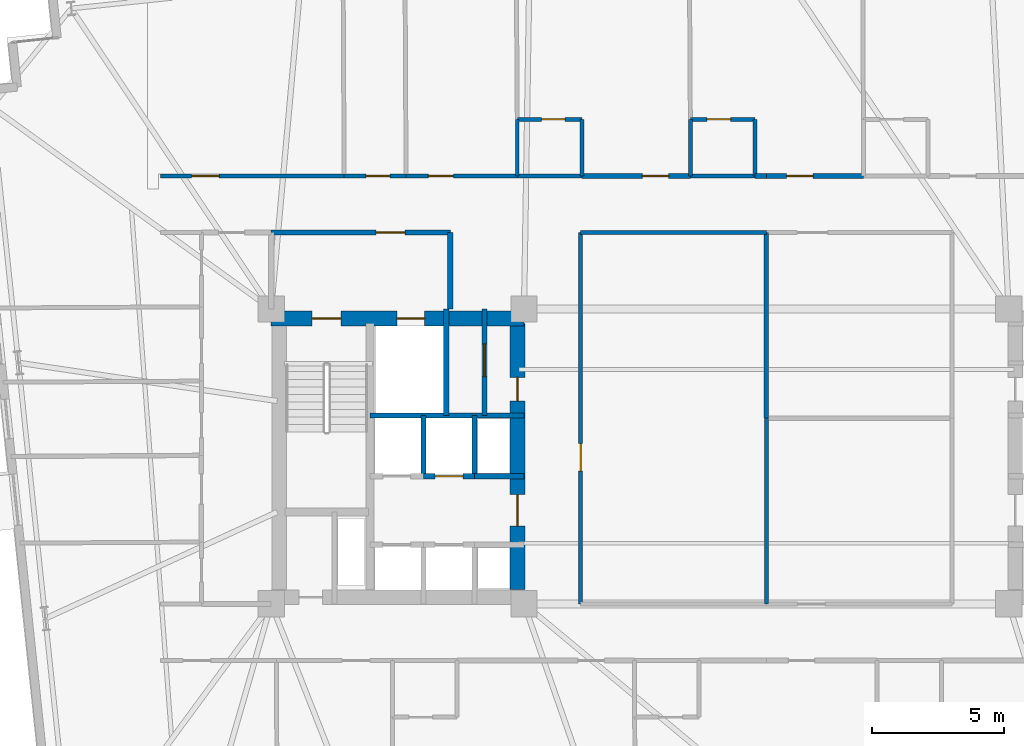
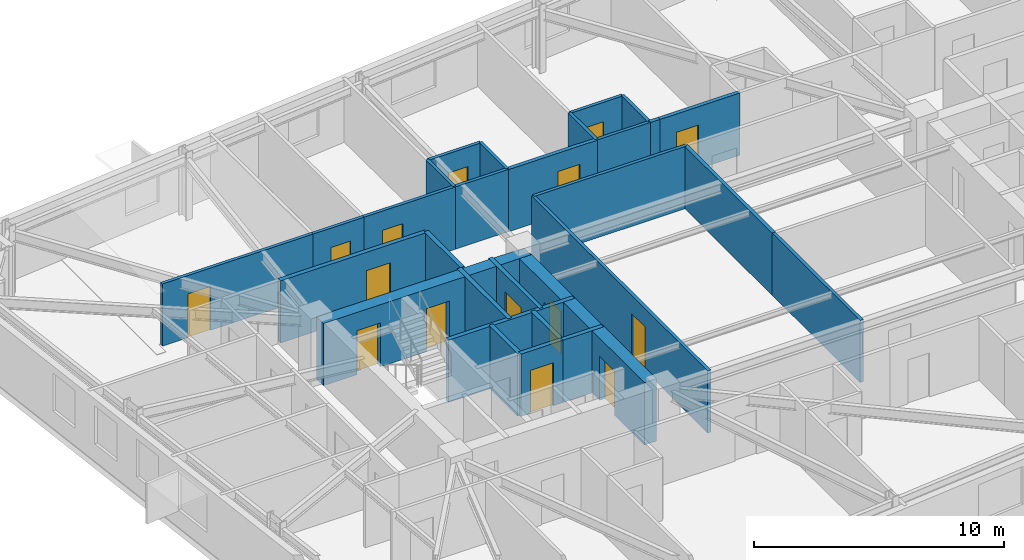
# One storey, part 13 of 20: 29 walls, 15 doors, 15 openings.
"""IFC4 building model written with IfcOpenShell, lengths in metres."""

import ifcopenshell
import ifcopenshell.guid

model = None  # the IFC model being written
_history = None  # IfcOwnerHistory: only IFC2X3 demands one
_inside = {}  # id of a spatial element -> (the spatial element, [elements in it])
_under = {}  # id of a project, library or spatial element -> (it, [spatial elements below it])
_declared = {}  # id of a project -> (the project, [libraries it declares])
_typed = {}  # id of a type object -> (the type object, [elements of that type])
_made_of = {}  # id of a material, layer set ... -> (it, [elements and type objects made of it])


def new_model(schema):
    """Start an empty IFC model of exactly this schema.

    Asked for "IFC4X3", IfcOpenShell would pick the latest addendum, in which some entities
    have other attributes; the version numbers below select the first issue.
    IFC2X3 requires an IfcOwnerHistory on every rooted entity: one is made here for all.
    """
    global model, _history
    if schema == "IFC4X3":
        model = ifcopenshell.file(schema_version=(4, 3, 0, 0))
    else:
        model = ifcopenshell.file(schema=schema)
    _inside.clear()
    _under.clear()
    _declared.clear()
    _typed.clear()
    _made_of.clear()
    _history = None
    if model.schema == "IFC2X3":
        org = make("IfcOrganization", Name="unknown")
        user = make(
            "IfcPersonAndOrganization",
            ThePerson=make("IfcPerson", FamilyName="unknown"),
            TheOrganization=org,
        )
        app = make(
            "IfcApplication",
            ApplicationDeveloper=org,
            Version="unknown",
            ApplicationFullName="unknown",
            ApplicationIdentifier="unknown",
        )
        _history = make(
            "IfcOwnerHistory",
            OwningUser=user,
            OwningApplication=app,
            ChangeAction="ADDED",
            CreationDate=0,
        )
    return model


def make(cls, **values):
    """One entity of the class cls with the attributes given. An attribute that is None is left unset."""
    return model.create_entity(
        cls, **{name: value for name, value in values.items() if value is not None}
    )


def rooted(cls, **values):
    """An entity with a GlobalId (a new one), such as an element, a storey or a relation."""
    return make(cls, GlobalId=ifcopenshell.guid.new(), OwnerHistory=_history, **values)


def si_unit(unit_type, name, prefix=None):
    """IfcSIUnit, for example si_unit("LENGTHUNIT", "METRE", prefix="MILLI")."""
    return make("IfcSIUnit", UnitType=unit_type, Prefix=prefix, Name=name)


def assignment(units):
    """IfcUnitAssignment: the units of a project."""
    return None if units is None else make("IfcUnitAssignment", Units=units)


def point(xyz):
    """IfcCartesianPoint."""
    return None if xyz is None else make("IfcCartesianPoint", Coordinates=xyz)


def direction(xyz):
    """IfcDirection."""
    return None if xyz is None else make("IfcDirection", DirectionRatios=xyz)


def frame(location, z_axis=None, x_axis=None):
    """IfcAxis2Placement3D, a coordinate frame: its origin and axes. An axis left out is left unset."""
    return make(
        "IfcAxis2Placement3D",
        Location=point(location),
        Axis=direction(z_axis),
        RefDirection=direction(x_axis),
    )


def frame_2d(location, x_axis=None):
    """IfcAxis2Placement2D, a coordinate frame in the plane: its origin and x axis."""
    return make(
        "IfcAxis2Placement2D", Location=point(location), RefDirection=direction(x_axis)
    )


def origin():
    """The frame at (0, 0, 0) with its axes left unset."""
    return frame((0.0, 0.0, 0.0))


def place(relative_to, where):
    """IfcLocalPlacement: puts the frame where relative to a parent placement (None: the world)."""
    return make(
        "IfcLocalPlacement", PlacementRelTo=relative_to, RelativePlacement=where
    )


def context(
    kind, dimensions, precision=None, world=None, true_north=None, identifier=None
):
    """IfcGeometricRepresentationContext, for example the 3D "Model" context."""
    return make(
        "IfcGeometricRepresentationContext",
        ContextIdentifier=identifier,
        ContextType=kind,
        CoordinateSpaceDimension=dimensions,
        Precision=precision,
        WorldCoordinateSystem=world,
        TrueNorth=true_north,
    )


def subcontext(parent, identifier, kind, view, scale=None):
    """IfcGeometricRepresentationSubContext, for example "Body" below "Model"."""
    return make(
        "IfcGeometricRepresentationSubContext",
        ContextIdentifier=identifier,
        ContextType=kind,
        ParentContext=parent,
        TargetScale=scale,
        TargetView=view,
    )


def project(units=None, contexts=None):
    """IfcProject with its units and contexts."""
    return rooted(
        "IfcProject",
        Name="project",
        RepresentationContexts=contexts,
        UnitsInContext=assignment(units),
    )


def spatial(cls, under=None, at=None, **own):
    """A site, building, storey or space (cls), placed at a placement, below another one or the project."""
    s = rooted(cls, ObjectPlacement=at, **own)
    if under is not None:
        _under.setdefault(under.id(), (under, []))[1].append(s)
    return s


def profile(cls, at=None, kind="AREA", **sizes):
    """A parametric profile (cls). Its sizes go by their IFC names, for example OverallWidth=200.0."""
    return make(cls, ProfileType=kind, Position=at, **sizes)


def rectangle(**sizes):
    """IfcRectangleProfileDef."""
    return profile("IfcRectangleProfileDef", **sizes)


def extrude(swept, where, along, depth):
    """IfcExtrudedAreaSolid: the profile swept, set in the frame where, extruded along a direction by depth."""
    return make(
        "IfcExtrudedAreaSolid",
        SweptArea=swept,
        Position=where,
        ExtrudedDirection=direction(along),
        Depth=depth,
    )


def shape(context_of_items, identifier, shape_type, items):
    """IfcShapeRepresentation: the items that make up one representation, for example the "Body"."""
    return make(
        "IfcShapeRepresentation",
        ContextOfItems=context_of_items,
        RepresentationIdentifier=identifier,
        RepresentationType=shape_type,
        Items=items,
    )


def material(Name=None, Category=None):
    """IfcMaterial."""
    return make("IfcMaterial", Name=Name, Category=Category)


def layer(
    of_material, thickness, ventilated=None, Name=None, Category=None, Priority=None
):
    """IfcMaterialLayer: one layer of a wall or slab, of a material (None: an air gap)."""
    return make(
        "IfcMaterialLayer",
        Material=of_material,
        LayerThickness=thickness,
        IsVentilated=ventilated,
        Name=Name,
        Category=Category,
        Priority=Priority,
    )


def layer_set(layers, Name=None):
    """IfcMaterialLayerSet."""
    return make("IfcMaterialLayerSet", MaterialLayers=layers, LayerSetName=Name)


def made_of(thing, what):
    """Note that an element or type object is made of a material, layer set ...; save() writes the relation."""
    if what is not None:
        _made_of.setdefault(what.id(), (what, []))[1].append(thing)
    return thing


def type_object(cls, material=None, **own):
    """A type object (cls), such as IfcWallType, which elements share."""
    return made_of(rooted(cls, **own), material)


def element(
    cls,
    number,
    at=None,
    inside=None,
    cuts=None,
    type_object=None,
    material=None,
    context=None,
    identifier="Body",
    shape_type=None,
    held_by="IfcProductDefinitionShape",
    body=None,
    shapes=None,
    **own,
):
    """One element of the class cls, such as IfcWall. Its Tag is "e" and its number.

    at: its placement. inside: the storey or other place that contains it. cuts: it is an
    opening in that element (IfcRelVoidsElement). A single representation is given by context,
    identifier, shape_type and body (its items); several are given by shapes. held_by: the class
    of the entity that holds the representations. save() writes the other relations.
    """
    e = rooted(cls, Tag="e%d" % number, ObjectPlacement=at, **own)
    if body is not None:
        shapes = [shape(context, identifier, shape_type, body)]
    if shapes is not None:
        e.Representation = make(held_by, Representations=shapes)
    if inside is not None:
        _inside.setdefault(inside.id(), (inside, []))[1].append(e)
    if cuts is not None:
        rooted(
            "IfcRelVoidsElement", RelatingBuildingElement=cuts, RelatedOpeningElement=e
        )
    if type_object is not None:
        _typed.setdefault(type_object.id(), (type_object, []))[1].append(e)
    return made_of(e, material)


def fill(opening, filler):
    """IfcRelFillsElement: the door or window that sits in an opening."""
    return rooted(
        "IfcRelFillsElement",
        RelatingOpeningElement=opening,
        RelatedBuildingElement=filler,
    )


def aggregate(whole, parts):
    """IfcRelAggregates: a whole, such as a stair, and the parts it consists of."""
    return rooted("IfcRelAggregates", RelatingObject=whole, RelatedObjects=parts)


def save(model, path):
    """Write the relations noted so far, then the file.

    IfcRelAggregates (storeys below a building ...), IfcRelContainedInSpatialStructure (elements
    in a storey), IfcRelDefinesByType, IfcRelAssociatesMaterial and IfcRelDeclares: one each for
    every whole, place, type object, material and project.
    """
    for whole, parts in _under.values():
        aggregate(whole, parts)
    for where, things in _inside.values():
        rooted(
            "IfcRelContainedInSpatialStructure",
            RelatedElements=things,
            RelatingStructure=where,
        )
    for kind, things in _typed.values():
        rooted("IfcRelDefinesByType", RelatedObjects=things, RelatingType=kind)
    for what, things in _made_of.values():
        rooted("IfcRelAssociatesMaterial", RelatedObjects=things, RelatingMaterial=what)
    for by, libraries in _declared.values():
        rooted("IfcRelDeclares", RelatingContext=by, RelatedDefinitions=libraries)
    model.write(path)


model = new_model("IFC4")

# Units and contexts
model_context = context("Model", 3, precision=1e-05, world=origin(), true_north=direction((0.0, 1.0)))
body_context = subcontext(model_context, "Body", "Model", "MODEL_VIEW")
ifc_project = project(units=[si_unit("LENGTHUNIT", "METRE"), si_unit("AREAUNIT", "SQUARE_METRE"), si_unit("VOLUMEUNIT", "CUBIC_METRE"), si_unit("PLANEANGLEUNIT", "RADIAN"), si_unit("MASSUNIT", "GRAM", prefix="KILO")], contexts=[model_context])

# Site, building, storey
site_placement = place(None, origin())
site = spatial("IfcSite", under=ifc_project, at=site_placement, CompositionType="ELEMENT")
building_placement = place(site_placement, origin())
building = spatial("IfcBuilding", under=site, at=building_placement, Name="Qobustan Lattice House", CompositionType="ELEMENT")
storey_placement = place(building_placement, frame((0.0, 0.0, 89.050048828125)))
storey = spatial("IfcBuildingStorey", under=building, at=storey_placement, Name="L24", CompositionType="ELEMENT", Elevation=89.050048828125)

# Wall, openings, doors
ifc_material_1 = material(Name="Concrete C60/75", Category="concrete")
ifc_layer_1 = layer(ifc_material_1, 0.56005859375)
ifc_layer_set_1 = layer_set([ifc_layer_1], Name="Concrete C60/75")
wall_type_1 = type_object("IfcWallType", Name="WAL-CORE-600", PredefinedType="SHEAR", material=ifc_layer_set_1)
wall_1_placement = place(storey_placement, frame((-18.800048828125, 5.239990234375, 0.0), z_axis=(0.0, 0.0, 1.0), x_axis=(1.0, 0.0, 0.0)))
wall_1 = element("IfcWall", 1, at=wall_1_placement, inside=storey, type_object=wall_type_1, Name="L24 split-core shear wall CW-N", PredefinedType="SHEAR", context=body_context, shape_type="SweptSolid", body=[
    extrude(rectangle(XDim=9.60009765625, YDim=0.56005859375, at=frame_2d((4.800048828125, 0.0))), origin(), (0.0, 0.0, 1.0), 3.044921875),
])
opening_1_placement = place(wall_1_placement, frame((1.550048828125, 0.0, 0.0)))
opening_1 = element("IfcOpeningElement", 2, at=opening_1_placement, cuts=wall_1, Name="Opening SD-01", PredefinedType="OPENING", context=body_context, shape_type="SweptSolid", body=[
    extrude(rectangle(XDim=1.10009765625, YDim=2.14990234375, at=frame_2d((0.550048828125, 1.074951171875))), frame((0.0, 0.2900390625, 0.0), z_axis=(0.0, -1.0, 0.0), x_axis=(1.0, 0.0, 0.0)), (0.0, 0.0, 1.0), 0.580078125),
])
opening_2_placement = place(wall_1_placement, frame((4.77490234375, 0.0, 0.0)))
opening_2 = element("IfcOpeningElement", 3, at=opening_2_placement, cuts=wall_1, Name="Opening LD-01", PredefinedType="OPENING", context=body_context, shape_type="SweptSolid", body=[
    extrude(rectangle(XDim=1.050048828125, YDim=2.10009765625, at=frame_2d((0.52490234375, 1.050048828125))), frame((0.0, 0.2900390625, 0.0), z_axis=(0.0, -1.0, 0.0), x_axis=(1.0, 0.0, 0.0)), (0.0, 0.0, 1.0), 0.580078125),
])
ifc_material_2 = material(Name="Persian walnut timber and steel frame door", Category="steel")
door_type_1 = type_object("IfcDoorType", Name="DOR-LIFT-LD-1050x2100", OperationType="NOTDEFINED", PredefinedType="DOOR", material=ifc_material_2)
door_1_placement = place(opening_2_placement, origin())
door_1 = element("IfcDoor", 4, at=door_1_placement, inside=storey, type_object=door_type_1, Name="L24 firefighting lift FF-W landing door", OperationType="DOUBLE_DOOR_SLIDING", OverallHeight=2.10009765625, OverallWidth=1.050048828125, PredefinedType="DOOR", context=body_context, shape_type="SweptSolid", body=[
    extrude(rectangle(XDim=1.050048828125, YDim=2.10009765625, at=frame_2d((0.52490234375, 1.050048828125))), frame((0.0, 0.02490234375, 0.0), z_axis=(0.0, -1.0, 0.0), x_axis=(1.0, 0.0, 0.0)), (0.0, 0.0, 1.0), 0.050048828125),
])
fill(opening_2, door_1)
ifc_material_3 = material(Name="Persian walnut timber and steel frame door", Category="steel")
door_type_2 = type_object("IfcDoorType", Name="DOR-STAIR-FD-1100x2150", OperationType="NOTDEFINED", PredefinedType="DOOR", material=ifc_material_3)
door_2_placement = place(opening_1_placement, origin())
door_2 = element("IfcDoor", 5, at=door_2_placement, inside=storey, type_object=door_type_2, Name="L24 exit stair ST-W1 fire door", OperationType="SINGLE_SWING_LEFT", OverallHeight=2.14990234375, OverallWidth=1.10009765625, PredefinedType="DOOR", context=body_context, shape_type="SweptSolid", body=[
    extrude(rectangle(XDim=1.10009765625, YDim=2.14990234375, at=frame_2d((0.550048828125, 1.074951171875))), frame((0.0, 0.02490234375, 0.0), z_axis=(0.0, -1.0, 0.0), x_axis=(1.0, 0.0, 0.0)), (0.0, 0.0, 1.0), 0.050048828125),
])
fill(opening_1, door_2)

wall_2_placement = place(storey_placement, frame((-9.449951171875, -5.050048828125, 0.0), z_axis=(0.0, 0.0, 1.0), x_axis=(0.0, 1.0, 0.0)))
wall_2 = element("IfcWall", 6, at=wall_2_placement, inside=storey, type_object=wall_type_1, Name="L24 split-core shear wall CW-E", PredefinedType="SHEAR", context=body_context, shape_type="SweptSolid", body=[
    extrude(rectangle(XDim=10.10009765625, YDim=0.56005859375, at=frame_2d((5.050048828125, 0.0))), origin(), (0.0, 0.0, 1.0), 3.044921875),
])
opening_3_placement = place(wall_2_placement, frame((7.14990234375, 0.0, 0.0)))
opening_3 = element("IfcOpeningElement", 7, at=opening_3_placement, cuts=wall_2, Name="Opening RD-01", PredefinedType="OPENING", context=body_context, shape_type="SweptSolid", body=[
    extrude(rectangle(XDim=0.89990234375, YDim=2.10009765625, at=frame_2d((0.449951171875, 1.050048828125))), frame((0.0, 0.2900390625, 0.0), z_axis=(0.0, -1.0, 0.0), x_axis=(1.0, 0.0, 0.0)), (0.0, 0.0, 1.0), 0.580078125),
])
opening_4_placement = place(wall_2_placement, frame((2.39990234375, 0.0, 0.0)))
opening_4 = element("IfcOpeningElement", 8, at=opening_4_placement, cuts=wall_2, Name="Opening FD-01", PredefinedType="OPENING", context=body_context, shape_type="SweptSolid", body=[
    extrude(rectangle(XDim=1.199951171875, YDim=2.14990234375, at=frame_2d((0.60009765625, 1.074951171875))), frame((0.0, 0.2900390625, 0.0), z_axis=(0.0, -1.0, 0.0), x_axis=(1.0, 0.0, 0.0)), (0.0, 0.0, 1.0), 0.580078125),
])
ifc_material_4 = material(Name="Persian walnut timber and steel frame door", Category="steel")
door_type_3 = type_object("IfcDoorType", Name="DOR-LOBBY-FD-1200x2150", OperationType="NOTDEFINED", PredefinedType="DOOR", material=ifc_material_4)
door_3_placement = place(opening_4_placement, origin())
door_3 = element("IfcDoor", 9, at=door_3_placement, inside=storey, type_object=door_type_3, Name="L24 West passenger lift lobby fire door", OperationType="SINGLE_SWING_RIGHT", OverallHeight=2.14990234375, OverallWidth=1.199951171875, PredefinedType="DOOR", context=body_context, shape_type="SweptSolid", body=[
    extrude(rectangle(XDim=1.199951171875, YDim=2.14990234375, at=frame_2d((0.60009765625, 1.074951171875))), frame((0.0, 0.02490234375, 0.0), z_axis=(0.0, -1.0, 0.0), x_axis=(1.0, 0.0, 0.0)), (0.0, 0.0, 1.0), 0.050048828125),
])
fill(opening_4, door_3)
ifc_material_5 = material(Name="Persian walnut timber and steel frame door", Category="steel")
door_type_4 = type_object("IfcDoorType", Name="DOR-RISER-FD-900x2100", OperationType="NOTDEFINED", PredefinedType="DOOR", material=ifc_material_5)
door_4_placement = place(opening_3_placement, origin())
door_4 = element("IfcDoor", 10, at=door_4_placement, inside=storey, type_object=door_type_4, Name="L24 Data comms closet fire door", OperationType="SINGLE_SWING_LEFT", OverallHeight=2.10009765625, OverallWidth=0.89990234375, PredefinedType="DOOR", context=body_context, shape_type="SweptSolid", body=[
    extrude(rectangle(XDim=0.89990234375, YDim=2.10009765625, at=frame_2d((0.449951171875, 1.050048828125))), frame((0.0, 0.02490234375, 0.0), z_axis=(0.0, -1.0, 0.0), x_axis=(1.0, 0.0, 0.0)), (0.0, 0.0, 1.0), 0.050048828125),
])
fill(opening_3, door_4)

# Wall, opening, door
ifc_material_6 = material(Name="Gypsum fireboard acoustic partition", Category="gypsum")
ifc_layer_2 = layer(ifc_material_6, 0.179931640625)
ifc_layer_set_2 = layer_set([ifc_layer_2], Name="Gypsum fireboard acoustic partition")
wall_type_2 = type_object("IfcWallType", Name="WAL-FIRE-180", PredefinedType="PARTITIONING", material=ifc_layer_set_2)
wall_3_placement = place(storey_placement, frame((-10.699951171875, 5.60009765625, 0.0), z_axis=(0.0, 0.0, 1.0), x_axis=(0.0, -1.0, 0.0)))
wall_3 = element("IfcWall", 11, at=wall_3_placement, inside=storey, type_object=wall_type_2, Name="L24 interior partition 6", PredefinedType="PARTITIONING", context=body_context, shape_type="SweptSolid", body=[
    extrude(rectangle(XDim=4.050048828125, YDim=0.179931640625, at=frame_2d((2.02490234375, 0.0))), origin(), (0.0, 0.0, 1.0), 3.044921875),
])
opening_5_placement = place(wall_3_placement, frame((1.324951171875, 0.0, 0.0)))
opening_5 = element("IfcOpeningElement", 12, at=opening_5_placement, cuts=wall_3, Name="Opening FD-03", PredefinedType="OPENING", context=body_context, shape_type="SweptSolid", body=[
    extrude(rectangle(XDim=1.25, YDim=2.199951171875, at=frame_2d((0.625, 1.10009765625))), frame((0.0, 0.099853515625, 0.0), z_axis=(0.0, -1.0, 0.0), x_axis=(1.0, 0.0, 0.0)), (0.0, 0.0, 1.0), 0.199951171875),
])
ifc_material_7 = material(Name="Persian walnut timber and steel frame door", Category="steel")
door_type_5 = type_object("IfcDoorType", Name="DOR-PLANT-1250x2200", OperationType="NOTDEFINED", PredefinedType="DOOR", material=ifc_material_7)
door_5_placement = place(opening_5_placement, origin())
door_5 = element("IfcDoor", 13, at=door_5_placement, inside=storey, type_object=door_type_5, Name="L24 Data comms closet to Linen store door", OperationType="SINGLE_SWING_RIGHT", OverallHeight=2.199951171875, OverallWidth=1.25, PredefinedType="DOOR", context=body_context, shape_type="SweptSolid", body=[
    extrude(rectangle(XDim=1.25, YDim=2.199951171875, at=frame_2d((0.625, 1.10009765625))), frame((0.0, 0.02490234375, 0.0), z_axis=(0.0, -1.0, 0.0), x_axis=(1.0, 0.0, 0.0)), (0.0, 0.0, 1.0), 0.050048828125),
])
fill(opening_5, door_5)

wall_4_placement = place(storey_placement, frame((-7.007080078125, 10.64990234375, 0.0), z_axis=(0.0, 0.0, 1.0), x_axis=(1.0, 0.0, 0.0)))
wall_4 = element("IfcWall", 14, at=wall_4_placement, inside=storey, type_object=wall_type_2, Name="L24 interior partition 43", PredefinedType="PARTITIONING", context=body_context, shape_type="SweptSolid", body=[
    extrude(rectangle(XDim=4.12109375, YDim=0.179931640625, at=frame_2d((2.060546875, 0.0))), origin(), (0.0, 0.0, 1.0), 3.044921875),
])
opening_6_placement = place(wall_4_placement, frame((2.2958984375, 0.0, 0.0)))
opening_6 = element("IfcOpeningElement", 15, at=opening_6_placement, cuts=wall_4, Name="Opening FD-02", PredefinedType="OPENING", context=body_context, shape_type="SweptSolid", body=[
    extrude(rectangle(XDim=1.0, YDim=2.14990234375, at=frame_2d((0.5, 1.074951171875))), frame((0.0, 0.099853515625, 0.0), z_axis=(0.0, -1.0, 0.0), x_axis=(1.0, 0.0, 0.0)), (0.0, 0.0, 1.0), 0.199951171875),
])
ifc_material_8 = material(Name="Persian walnut timber and steel frame door", Category="steel")
door_type_6 = type_object("IfcDoorType", Name="DOR-UNIT-FD-1000x2150", OperationType="NOTDEFINED", PredefinedType="DOOR", material=ifc_material_8)
door_6_placement = place(opening_6_placement, origin())
door_6 = element("IfcDoor", 16, at=door_6_placement, inside=storey, type_object=door_type_6, Name="L24 North-west floor corridor to Kitchenette and studio apartment L24-N3 door", OperationType="SINGLE_SWING_LEFT", OverallHeight=2.14990234375, OverallWidth=1.0, PredefinedType="DOOR", context=body_context, shape_type="SweptSolid", body=[
    extrude(rectangle(XDim=1.0, YDim=2.14990234375, at=frame_2d((0.5, 1.074951171875))), frame((0.0, 0.02490234375, 0.0), z_axis=(0.0, -1.0, 0.0), x_axis=(1.0, 0.0, 0.0)), (0.0, 0.0, 1.0), 0.050048828125),
])
fill(opening_6, door_6)

# Wall
wall_5_placement = place(storey_placement, frame((-0.43603515625, 10.64990234375, 0.0), z_axis=(0.0, 0.0, 1.0), x_axis=(1.0, 0.0, 0.0)))
element("IfcWall", 17, at=wall_5_placement, inside=storey, type_object=wall_type_2, Name="L24 interior partition 45", PredefinedType="PARTITIONING", context=body_context, shape_type="SweptSolid", body=[
    extrude(rectangle(XDim=0.43603515625, YDim=0.179931640625, at=frame_2d((0.218017578125, 0.0))), origin(), (0.0, 0.0, 1.0), 3.044921875),
])

# Wall, opening, door
wall_6_placement = place(storey_placement, frame((0.0, 10.64990234375, 0.0), z_axis=(0.0, 0.0, 1.0), x_axis=(1.0, 0.0, 0.0)))
wall_6 = element("IfcWall", 18, at=wall_6_placement, inside=storey, type_object=wall_type_2, Name="L24 interior partition 50", PredefinedType="PARTITIONING", context=body_context, shape_type="SweptSolid", body=[
    extrude(rectangle(XDim=3.68603515625, YDim=0.179931640625, at=frame_2d((1.843017578125, 0.0))), origin(), (0.0, 0.0, 1.0), 3.044921875),
])
opening_7_placement = place(wall_6_placement, frame((0.770751953125, 0.0, 0.0)))
opening_7 = element("IfcOpeningElement", 19, at=opening_7_placement, cuts=wall_6, Name="Opening FD-02", PredefinedType="OPENING", context=body_context, shape_type="SweptSolid", body=[
    extrude(rectangle(XDim=1.0, YDim=2.14990234375, at=frame_2d((0.5, 1.074951171875))), frame((0.0, 0.099853515625, 0.0), z_axis=(0.0, -1.0, 0.0), x_axis=(1.0, 0.0, 0.0)), (0.0, 0.0, 1.0), 0.199951171875),
])
door_7_placement = place(opening_7_placement, origin())
door_7 = element("IfcDoor", 20, at=door_7_placement, inside=storey, type_object=door_type_6, Name="L24 North-east floor corridor to Kitchenette and studio apartment L24-N4 door", OperationType="SINGLE_SWING_LEFT", OverallHeight=2.14990234375, OverallWidth=1.0, PredefinedType="DOOR", context=body_context, shape_type="SweptSolid", body=[
    extrude(rectangle(XDim=1.0, YDim=2.14990234375, at=frame_2d((0.5, 1.074951171875))), frame((0.0, 0.02490234375, 0.0), z_axis=(0.0, -1.0, 0.0), x_axis=(1.0, 0.0, 0.0)), (0.0, 0.0, 1.0), 0.050048828125),
])
fill(opening_7, door_7)

ifc_material_9 = material(Name="Acoustic twin-stud gypsum partition", Category="gypsum")
ifc_layer_3 = layer(ifc_material_9, 0.14990234375)
ifc_layer_set_3 = layer_set([ifc_layer_3], Name="Acoustic twin-stud gypsum partition")
wall_type_3 = type_object("IfcWallType", Name="WAL-PART-150", PredefinedType="PARTITIONING", material=ifc_layer_set_3)
wall_7_placement = place(storey_placement, frame((-23.0, 10.64990234375, 0.0), z_axis=(0.0, 0.0, 1.0), x_axis=(1.0, 0.0, 0.0)))
wall_7 = element("IfcWall", 21, at=wall_7_placement, inside=storey, type_object=wall_type_3, Name="L24 interior partition 40", PredefinedType="PARTITIONING", context=body_context, shape_type="SweptSolid", body=[
    extrude(rectangle(XDim=6.970947265625, YDim=0.14990234375, at=frame_2d((3.4853515625, 0.0))), origin(), (0.0, 0.0, 1.0), 3.044921875),
])
opening_8_placement = place(wall_7_placement, frame((1.175048828125, 0.0, 0.0)))
opening_8 = element("IfcOpeningElement", 22, at=opening_8_placement, cuts=wall_7, Name="Opening ID-02", PredefinedType="OPENING", context=body_context, shape_type="SweptSolid", body=[
    extrude(rectangle(XDim=1.050048828125, YDim=2.14990234375, at=frame_2d((0.52490234375, 1.074951171875))), frame((0.0, 0.0849609375, 0.0), z_axis=(0.0, -1.0, 0.0), x_axis=(1.0, 0.0, 0.0)), (0.0, 0.0, 1.0), 0.169921875),
])
ifc_material_10 = material(Name="Persian walnut timber and steel frame door", Category="steel")
door_type_7 = type_object("IfcDoorType", Name="DOR-STUDY-1050x2150", OperationType="NOTDEFINED", PredefinedType="DOOR", material=ifc_material_10)
door_8_placement = place(opening_8_placement, origin())
door_8 = element("IfcDoor", 23, at=door_8_placement, inside=storey, type_object=door_type_7, Name="L24 North-west floor corridor to Focus study room N1 door", OperationType="SINGLE_SWING_RIGHT", OverallHeight=2.14990234375, OverallWidth=1.050048828125, PredefinedType="DOOR", context=body_context, shape_type="SweptSolid", body=[
    extrude(rectangle(XDim=1.050048828125, YDim=2.14990234375, at=frame_2d((0.52490234375, 1.074951171875))), frame((0.0, 0.02490234375, 0.0), z_axis=(0.0, -1.0, 0.0), x_axis=(1.0, 0.0, 0.0)), (0.0, 0.0, 1.0), 0.050048828125),
])
fill(opening_8, door_8)

wall_8_placement = place(storey_placement, frame((-13.678955078125, 10.64990234375, 0.0), z_axis=(0.0, 0.0, 1.0), x_axis=(1.0, 0.0, 0.0)))
wall_8 = element("IfcWall", 24, at=wall_8_placement, inside=storey, type_object=wall_type_3, Name="L24 interior partition 42", PredefinedType="PARTITIONING", context=body_context, shape_type="SweptSolid", body=[
    extrude(rectangle(XDim=4.221923828125, YDim=0.14990234375, at=frame_2d((2.11083984375, 0.0))), origin(), (0.0, 0.0, 1.0), 3.044921875),
])
opening_9_placement = place(wall_8_placement, frame((0.843994140625, 0.0, 0.0)))
opening_9 = element("IfcOpeningElement", 25, at=opening_9_placement, cuts=wall_8, Name="Opening ID-01", PredefinedType="OPENING", context=body_context, shape_type="SweptSolid", body=[
    extrude(rectangle(XDim=0.949951171875, YDim=2.10009765625, at=frame_2d((0.47509765625, 1.050048828125))), frame((0.0, 0.0849609375, 0.0), z_axis=(0.0, -1.0, 0.0), x_axis=(1.0, 0.0, 0.0)), (0.0, 0.0, 1.0), 0.169921875),
])
ifc_material_11 = material(Name="Persian walnut timber and steel frame door", Category="steel")
door_type_8 = type_object("IfcDoorType", Name="DOR-ROOM-950x2100", OperationType="NOTDEFINED", PredefinedType="DOOR", material=ifc_material_11)
door_9_placement = place(opening_9_placement, origin())
door_9 = element("IfcDoor", 26, at=door_9_placement, inside=storey, type_object=door_type_8, Name="L24 North-west floor corridor to Laundry utility room door", OperationType="SINGLE_SWING_RIGHT", OverallHeight=2.10009765625, OverallWidth=0.949951171875, PredefinedType="DOOR", context=body_context, shape_type="SweptSolid", body=[
    extrude(rectangle(XDim=0.949951171875, YDim=2.10009765625, at=frame_2d((0.47509765625, 1.050048828125))), frame((0.0, 0.02490234375, 0.0), z_axis=(0.0, -1.0, 0.0), x_axis=(1.0, 0.0, 0.0)), (0.0, 0.0, 1.0), 0.050048828125),
])
fill(opening_9, door_9)

# Wall
wall_9_placement = place(storey_placement, frame((0.0, 8.5, 0.0), z_axis=(0.0, 0.0, 1.0), x_axis=(-1.0, 0.0, 0.0)))
element("IfcWall", 27, at=wall_9_placement, inside=storey, type_object=wall_type_3, Name="L24 interior partition 47", PredefinedType="PARTITIONING", context=body_context, shape_type="SweptSolid", body=[
    extrude(rectangle(XDim=7.050048828125, YDim=0.14990234375, at=frame_2d((3.52490234375, 0.0))), origin(), (0.0, 0.0, 1.0), 3.044921875),
])

# Wall, opening, door
wall_10_placement = place(storey_placement, frame((-7.050048828125, 8.5, 0.0), z_axis=(0.0, 0.0, 1.0), x_axis=(0.0, -1.0, 0.0)))
wall_10 = element("IfcWall", 28, at=wall_10_placement, inside=storey, type_object=wall_type_3, Name="L24 interior partition 73", PredefinedType="PARTITIONING", context=body_context, shape_type="SweptSolid", body=[
    extrude(rectangle(XDim=14.10009765625, YDim=0.14990234375, at=frame_2d((7.050048828125, 0.0))), origin(), (0.0, 0.0, 1.0), 3.044921875),
])
opening_10_placement = place(wall_10_placement, frame((8.01123046875, 0.0, 0.0)))
opening_10 = element("IfcOpeningElement", 29, at=opening_10_placement, cuts=wall_10, Name="Opening ID-02", PredefinedType="OPENING", context=body_context, shape_type="SweptSolid", body=[
    extrude(rectangle(XDim=1.050048828125, YDim=2.14990234375, at=frame_2d((0.52490234375, 1.074951171875))), frame((0.0, 0.0849609375, 0.0), z_axis=(0.0, -1.0, 0.0), x_axis=(1.0, 0.0, 0.0)), (0.0, 0.0, 1.0), 0.169921875),
])
door_10_placement = place(opening_10_placement, origin())
door_10 = element("IfcDoor", 30, at=door_10_placement, inside=storey, type_object=door_type_7, Name="L24 West floor link corridor to Central silent study room door", OperationType="SINGLE_SWING_LEFT", OverallHeight=2.14990234375, OverallWidth=1.050048828125, PredefinedType="DOOR", context=body_context, shape_type="SweptSolid", body=[
    extrude(rectangle(XDim=1.050048828125, YDim=2.14990234375, at=frame_2d((0.52490234375, 1.074951171875))), frame((0.0, 0.02490234375, 0.0), z_axis=(0.0, -1.0, 0.0), x_axis=(1.0, 0.0, 0.0)), (0.0, 0.0, 1.0), 0.050048828125),
])
fill(opening_10, door_10)

# Walls
wall_11_placement = place(storey_placement, frame((0.0, 1.449951171875, 0.0), z_axis=(0.0, 0.0, 1.0), x_axis=(0.0, -1.0, 0.0)))
element("IfcWall", 31, at=wall_11_placement, inside=storey, type_object=wall_type_3, Name="L24 interior partition 130", PredefinedType="PARTITIONING", context=body_context, shape_type="SweptSolid", body=[
    extrude(rectangle(XDim=7.050048828125, YDim=0.14990234375, at=frame_2d((3.52490234375, 0.0))), origin(), (0.0, 0.0, 1.0), 3.044921875),
])
ifc_material_12 = material(Name="High-mass acoustic twin-stud partition", Category="gypsum")
ifc_layer_4 = layer(ifc_material_12, 0.1650390625)
ifc_layer_set_4 = layer_set([ifc_layer_4], Name="High-mass acoustic twin-stud partition")
wall_type_4 = type_object("IfcWallType", Name="WAL-PART-165", PredefinedType="PARTITIONING", material=ifc_layer_set_4)
wall_12_placement = place(storey_placement, frame((0.0, 8.5, 0.0), z_axis=(0.0, 0.0, 1.0), x_axis=(0.0, -1.0, 0.0)))
element("IfcWall", 32, at=wall_12_placement, inside=storey, type_object=wall_type_4, Name="L24 interior partition 131", PredefinedType="PARTITIONING", context=body_context, shape_type="SweptSolid", body=[
    extrude(rectangle(XDim=7.050048828125, YDim=0.1650390625, at=frame_2d((3.52490234375, 0.0))), origin(), (0.0, 0.0, 1.0), 3.044921875),
])

# Wall, opening, door
ifc_material_13 = material(Name="Two-hour gypsum fireboard acoustic partition", Category="gypsum")
ifc_layer_5 = layer(ifc_material_13, 0.199951171875)
ifc_layer_set_5 = layer_set([ifc_layer_5], Name="Two-hour gypsum fireboard acoustic partition")
wall_type_5 = type_object("IfcWallType", Name="WAL-PROT-200", PredefinedType="PARTITIONING", material=ifc_layer_set_5)
wall_13_placement = place(storey_placement, frame((-12.0, 8.5, 0.0), z_axis=(0.0, 0.0, 1.0), x_axis=(-1.0, 0.0, 0.0)))
wall_13 = element("IfcWall", 33, at=wall_13_placement, inside=storey, type_object=wall_type_5, Name="L24 interior partition 3", PredefinedType="PARTITIONING", context=body_context, shape_type="SweptSolid", body=[
    extrude(rectangle(XDim=6.800048828125, YDim=0.199951171875, at=frame_2d((3.39990234375, 0.0))), origin(), (0.0, 0.0, 1.0), 3.044921875),
])
opening_11_placement = place(wall_13_placement, frame((1.715087890625, 0.0, 0.0)))
opening_11 = element("IfcOpeningElement", 34, at=opening_11_placement, cuts=wall_13, Name="Opening SD-01", PredefinedType="OPENING", context=body_context, shape_type="SweptSolid", body=[
    extrude(rectangle(XDim=1.10009765625, YDim=2.14990234375, at=frame_2d((0.550048828125, 1.074951171875))), frame((0.0, 0.10986328125, 0.0), z_axis=(0.0, -1.0, 0.0), x_axis=(1.0, 0.0, 0.0)), (0.0, 0.0, 1.0), 0.219970703125),
])
door_11_placement = place(opening_11_placement, origin())
door_11 = element("IfcDoor", 35, at=door_11_placement, inside=storey, type_object=door_type_2, Name="L24 West firefighting lift lobby to North-west floor corridor door", OperationType="SINGLE_SWING_LEFT", OverallHeight=2.14990234375, OverallWidth=1.10009765625, PredefinedType="DOOR", context=body_context, shape_type="SweptSolid", body=[
    extrude(rectangle(XDim=1.10009765625, YDim=2.14990234375, at=frame_2d((0.550048828125, 1.074951171875))), frame((0.0, 0.02490234375, 0.0), z_axis=(0.0, -1.0, 0.0), x_axis=(1.0, 0.0, 0.0)), (0.0, 0.0, 1.0), 0.050048828125),
])
fill(opening_11, door_11)

# Walls
wall_14_placement = place(storey_placement, frame((-12.0, 5.60009765625, 0.0), z_axis=(0.0, 0.0, 1.0), x_axis=(0.0, 1.0, 0.0)))
element("IfcWall", 36, at=wall_14_placement, inside=storey, type_object=wall_type_5, Name="L24 interior partition 4", PredefinedType="PARTITIONING", context=body_context, shape_type="SweptSolid", body=[
    extrude(rectangle(XDim=2.89990234375, YDim=0.199951171875, at=frame_2d((1.449951171875, 0.0))), origin(), (0.0, 0.0, 1.0), 3.044921875),
])
ifc_material_14 = material(Name="Concrete C40/50", Category="concrete")
ifc_layer_6 = layer(ifc_material_14, 0.199951171875)
ifc_layer_set_6 = layer_set([ifc_layer_6], Name="Concrete C40/50")
wall_type_6 = type_object("IfcWallType", Name="WAL-SHAFT-200", PredefinedType="PARTITIONING", material=ifc_layer_set_6)
wall_15_placement = place(storey_placement, frame((-12.14990234375, 1.550048828125, 0.0), z_axis=(0.0, 0.0, 1.0), x_axis=(0.0, 1.0, 0.0)))
element("IfcWall", 37, at=wall_15_placement, inside=storey, type_object=wall_type_6, Name="L24 interior partition 2", PredefinedType="PARTITIONING", context=body_context, shape_type="SweptSolid", body=[
    extrude(rectangle(XDim=4.050048828125, YDim=0.199951171875, at=frame_2d((2.02490234375, 0.0))), origin(), (0.0, 0.0, 1.0), 3.044921875),
])

# Wall, opening, door
wall_16_placement = place(storey_placement, frame((-11.080078125, -0.75, 0.0), z_axis=(0.0, 0.0, 1.0), x_axis=(-1.0, 0.0, 0.0)))
wall_16 = element("IfcWall", 38, at=wall_16_placement, inside=storey, type_object=wall_type_6, Name="L24 interior partition 12", PredefinedType="PARTITIONING", context=body_context, shape_type="SweptSolid", body=[
    extrude(rectangle(XDim=1.93994140625, YDim=0.199951171875, at=frame_2d((0.969970703125, 0.0))), origin(), (0.0, 0.0, 1.0), 3.044921875),
])
opening_12_placement = place(wall_16_placement, frame((0.445068359375, 0.0, 0.0)))
opening_12 = element("IfcOpeningElement", 39, at=opening_12_placement, cuts=wall_16, Name="Opening LD-01", PredefinedType="OPENING", context=body_context, shape_type="SweptSolid", body=[
    extrude(rectangle(XDim=1.050048828125, YDim=2.10009765625, at=frame_2d((0.52490234375, 1.050048828125))), frame((0.0, 0.10986328125, 0.0), z_axis=(0.0, -1.0, 0.0), x_axis=(1.0, 0.0, 0.0)), (0.0, 0.0, 1.0), 0.219970703125),
])
door_12_placement = place(opening_12_placement, origin())
door_12 = element("IfcDoor", 40, at=door_12_placement, inside=storey, type_object=door_type_1, Name="L24 lift landing door", OperationType="DOUBLE_DOOR_SLIDING", OverallHeight=2.10009765625, OverallWidth=1.050048828125, PredefinedType="DOOR", context=body_context, shape_type="SweptSolid", body=[
    extrude(rectangle(XDim=1.050048828125, YDim=2.10009765625, at=frame_2d((0.52490234375, 1.050048828125))), frame((0.0, 0.02490234375, 0.0), z_axis=(0.0, -1.0, 0.0), x_axis=(1.0, 0.0, 0.0)), (0.0, 0.0, 1.0), 0.050048828125),
])
fill(opening_12, door_12)

# Walls
wall_17_placement = place(storey_placement, frame((-9.199951171875, -0.75, 0.0), z_axis=(0.0, 0.0, 1.0), x_axis=(-1.0, 0.0, 0.0)))
element("IfcWall", 41, at=wall_17_placement, inside=storey, type_object=wall_type_6, Name="L24 interior partition 13", PredefinedType="PARTITIONING", context=body_context, shape_type="SweptSolid", body=[
    extrude(rectangle(XDim=1.880126953125, YDim=0.199951171875, at=frame_2d((0.93994140625, 0.0))), origin(), (0.0, 0.0, 1.0), 3.044921875),
])
for number, where, z_axis, x_axis, name in (
    (42, (-13.02001953125, -0.75, 0.0), (0.0, 0.0, 1.0), (0.0, 1.0, 0.0), "L24 interior partition 17"),
    (43, (-11.080078125, -0.75, 0.0), (0.0, 0.0, 1.0), (0.0, 1.0, 0.0), "L24 interior partition 18"),
):
    element("IfcWall", number, at=place(storey_placement, frame(where, z_axis=z_axis, x_axis=x_axis)), inside=storey, type_object=wall_type_6, Name=name, PredefinedType="PARTITIONING", context=body_context, shape_type="SweptSolid", body=[
        extrude(rectangle(XDim=2.300048828125, YDim=0.199951171875, at=frame_2d((1.14990234375, 0.0))), origin(), (0.0, 0.0, 1.0), 3.044921875),
    ])
wall_18_placement = place(storey_placement, frame((-15.050048828125, 1.550048828125, 0.0), z_axis=(0.0, 0.0, 1.0), x_axis=(1.0, 0.0, 0.0)))
element("IfcWall", 44, at=wall_18_placement, inside=storey, type_object=wall_type_6, Name="L24 interior partition 133", PredefinedType="PARTITIONING", context=body_context, shape_type="SweptSolid", body=[
    extrude(rectangle(XDim=5.85009765625, YDim=0.199951171875, at=frame_2d((2.925048828125, 0.0))), origin(), (0.0, 0.0, 1.0), 3.044921875),
])

# Wall, opening, door
ifc_material_15 = material(Name="Moisture-resistant acoustic plumbing wall", Category="gypsum")
ifc_layer_7 = layer(ifc_material_15, 0.14990234375)
ifc_layer_set_7 = layer_set([ifc_layer_7], Name="Moisture-resistant acoustic plumbing wall")
wall_type_7 = type_object("IfcWallType", Name="WAL-WET-150", PredefinedType="PLUMBINGWALL", material=ifc_layer_set_7)
wall_19_placement = place(storey_placement, frame((-16.029052734375, 10.64990234375, 0.0), z_axis=(0.0, 0.0, 1.0), x_axis=(1.0, 0.0, 0.0)))
wall_19 = element("IfcWall", 45, at=wall_19_placement, inside=storey, type_object=wall_type_7, Name="L24 interior partition 41", PredefinedType="PLUMBINGWALL", context=body_context, shape_type="SweptSolid", body=[
    extrude(rectangle(XDim=2.35009765625, YDim=0.14990234375, at=frame_2d((1.175048828125, 0.0))), origin(), (0.0, 0.0, 1.0), 3.044921875),
])
opening_13_placement = place(wall_19_placement, frame((0.833740234375, 0.0, 0.0)))
opening_13 = element("IfcOpeningElement", 46, at=opening_13_placement, cuts=wall_19, Name="Opening WD-01", PredefinedType="OPENING", context=body_context, shape_type="SweptSolid", body=[
    extrude(rectangle(XDim=0.89990234375, YDim=2.10009765625, at=frame_2d((0.449951171875, 1.050048828125))), frame((0.0, 0.0849609375, 0.0), z_axis=(0.0, -1.0, 0.0), x_axis=(1.0, 0.0, 0.0)), (0.0, 0.0, 1.0), 0.169921875),
])
ifc_material_16 = material(Name="Persian walnut timber and steel frame door", Category="steel")
door_type_9 = type_object("IfcDoorType", Name="DOR-WET-900x2100", OperationType="NOTDEFINED", PredefinedType="DOOR", material=ifc_material_16)
door_13_placement = place(opening_13_placement, origin())
door_13 = element("IfcDoor", 47, at=door_13_placement, inside=storey, type_object=door_type_9, Name="L24 North-west floor corridor to Accessible WC door", OperationType="SINGLE_SWING_LEFT", OverallHeight=2.10009765625, OverallWidth=0.89990234375, PredefinedType="DOOR", context=body_context, shape_type="SweptSolid", body=[
    extrude(rectangle(XDim=0.89990234375, YDim=2.10009765625, at=frame_2d((0.449951171875, 1.050048828125))), frame((0.0, 0.02490234375, 0.0), z_axis=(0.0, -1.0, 0.0), x_axis=(1.0, 0.0, 0.0)), (0.0, 0.0, 1.0), 0.050048828125),
])
fill(opening_13, door_13)

# Walls
for number, where, z_axis, x_axis, name in (
    (48, (-9.45703125, 10.64990234375, 0.0), (0.0, 0.0, 1.0), (1.0, 0.0, 0.0), "L24 interior partition 44"),
    (49, (-2.885986328125, 10.64990234375, 0.0), (0.0, 0.0, 1.0), (1.0, 0.0, 0.0), "L24 interior partition 46"),
):
    element("IfcWall", number, at=place(storey_placement, frame(where, z_axis=z_axis, x_axis=x_axis)), inside=storey, type_object=wall_type_7, Name=name, PredefinedType="PLUMBINGWALL", context=body_context, shape_type="SweptSolid", body=[
        extrude(rectangle(XDim=2.449951171875, YDim=0.14990234375, at=frame_2d((1.22509765625, 0.0))), origin(), (0.0, 0.0, 1.0), 3.044921875),
    ])
wall_20_placement = place(storey_placement, frame((-9.45703125, 12.800048828125, 0.0), z_axis=(0.0, 0.0, 1.0), x_axis=(0.0, -1.0, 0.0)))
element("IfcWall", 50, at=wall_20_placement, inside=storey, type_object=wall_type_7, Name="L24 interior partition 100", PredefinedType="PLUMBINGWALL", context=body_context, shape_type="SweptSolid", body=[
    extrude(rectangle(XDim=2.150146484375, YDim=0.14990234375, at=frame_2d((1.0751953125, 0.0))), origin(), (0.0, 0.0, 1.0), 3.044921875),
])

# Wall, opening, door
wall_21_placement = place(storey_placement, frame((-7.007080078125, 12.800048828125, 0.0), z_axis=(0.0, 0.0, 1.0), x_axis=(-1.0, 0.0, 0.0)))
wall_21 = element("IfcWall", 51, at=wall_21_placement, inside=storey, type_object=wall_type_7, Name="L24 interior partition 101", PredefinedType="PLUMBINGWALL", context=body_context, shape_type="SweptSolid", body=[
    extrude(rectangle(XDim=2.449951171875, YDim=0.14990234375, at=frame_2d((1.22509765625, 0.0))), origin(), (0.0, 0.0, 1.0), 3.044921875),
])
opening_14_placement = place(wall_21_placement, frame((0.62890625, 0.0, 0.0)))
opening_14 = element("IfcOpeningElement", 52, at=opening_14_placement, cuts=wall_21, Name="Opening WD-01", PredefinedType="OPENING", context=body_context, shape_type="SweptSolid", body=[
    extrude(rectangle(XDim=0.89990234375, YDim=2.10009765625, at=frame_2d((0.449951171875, 1.050048828125))), frame((0.0, 0.0849609375, 0.0), z_axis=(0.0, -1.0, 0.0), x_axis=(1.0, 0.0, 0.0)), (0.0, 0.0, 1.0), 0.169921875),
])
door_14_placement = place(opening_14_placement, origin())
door_14 = element("IfcDoor", 53, at=door_14_placement, inside=storey, type_object=door_type_9, Name="L24 Kitchenette and studio apartment L24-N3 to En-suite bathroom L24-N3 door", OperationType="SINGLE_SWING_LEFT", OverallHeight=2.10009765625, OverallWidth=0.89990234375, PredefinedType="DOOR", context=body_context, shape_type="SweptSolid", body=[
    extrude(rectangle(XDim=0.89990234375, YDim=2.10009765625, at=frame_2d((0.449951171875, 1.050048828125))), frame((0.0, 0.02490234375, 0.0), z_axis=(0.0, -1.0, 0.0), x_axis=(1.0, 0.0, 0.0)), (0.0, 0.0, 1.0), 0.050048828125),
])
fill(opening_14, door_14)

# Walls
for number, where, z_axis, x_axis, name in (
    (54, (-7.007080078125, 10.64990234375, 0.0), (0.0, 0.0, 1.0), (0.0, 1.0, 0.0), "L24 interior partition 102"),
    (55, (-2.885986328125, 12.800048828125, 0.0), (0.0, 0.0, 1.0), (0.0, -1.0, 0.0), "L24 interior partition 104"),
):
    element("IfcWall", number, at=place(storey_placement, frame(where, z_axis=z_axis, x_axis=x_axis)), inside=storey, type_object=wall_type_7, Name=name, PredefinedType="PLUMBINGWALL", context=body_context, shape_type="SweptSolid", body=[
        extrude(rectangle(XDim=2.150146484375, YDim=0.14990234375, at=frame_2d((1.0751953125, 0.0))), origin(), (0.0, 0.0, 1.0), 3.044921875),
    ])

# Wall, opening, door
wall_22_placement = place(storey_placement, frame((-0.43603515625, 12.800048828125, 0.0), z_axis=(0.0, 0.0, 1.0), x_axis=(-1.0, 0.0, 0.0)))
wall_22 = element("IfcWall", 56, at=wall_22_placement, inside=storey, type_object=wall_type_7, Name="L24 interior partition 105", PredefinedType="PLUMBINGWALL", context=body_context, shape_type="SweptSolid", body=[
    extrude(rectangle(XDim=2.449951171875, YDim=0.14990234375, at=frame_2d((1.22509765625, 0.0))), origin(), (0.0, 0.0, 1.0), 3.044921875),
])
opening_15_placement = place(wall_22_placement, frame((0.92138671875, 0.0, 0.0)))
opening_15 = element("IfcOpeningElement", 57, at=opening_15_placement, cuts=wall_22, Name="Opening WD-01", PredefinedType="OPENING", context=body_context, shape_type="SweptSolid", body=[
    extrude(rectangle(XDim=0.89990234375, YDim=2.10009765625, at=frame_2d((0.449951171875, 1.050048828125))), frame((0.0, 0.0849609375, 0.0), z_axis=(0.0, -1.0, 0.0), x_axis=(1.0, 0.0, 0.0)), (0.0, 0.0, 1.0), 0.169921875),
])
door_15_placement = place(opening_15_placement, origin())
door_15 = element("IfcDoor", 58, at=door_15_placement, inside=storey, type_object=door_type_9, Name="L24 Kitchenette and studio apartment L24-N4 to En-suite bathroom L24-N4 door", OperationType="SINGLE_SWING_RIGHT", OverallHeight=2.10009765625, OverallWidth=0.89990234375, PredefinedType="DOOR", context=body_context, shape_type="SweptSolid", body=[
    extrude(rectangle(XDim=0.89990234375, YDim=2.10009765625, at=frame_2d((0.449951171875, 1.050048828125))), frame((0.0, 0.02490234375, 0.0), z_axis=(0.0, -1.0, 0.0), x_axis=(1.0, 0.0, 0.0)), (0.0, 0.0, 1.0), 0.050048828125),
])
fill(opening_15, door_15)

# Wall
wall_23_placement = place(storey_placement, frame((-0.43603515625, 10.64990234375, 0.0), z_axis=(0.0, 0.0, 1.0), x_axis=(0.0, 1.0, 0.0)))
element("IfcWall", 59, at=wall_23_placement, inside=storey, type_object=wall_type_7, Name="L24 interior partition 106", PredefinedType="PLUMBINGWALL", context=body_context, shape_type="SweptSolid", body=[
    extrude(rectangle(XDim=2.150146484375, YDim=0.14990234375, at=frame_2d((1.0751953125, 0.0))), origin(), (0.0, 0.0, 1.0), 3.044921875),
])

save(model, "model.ifc")
